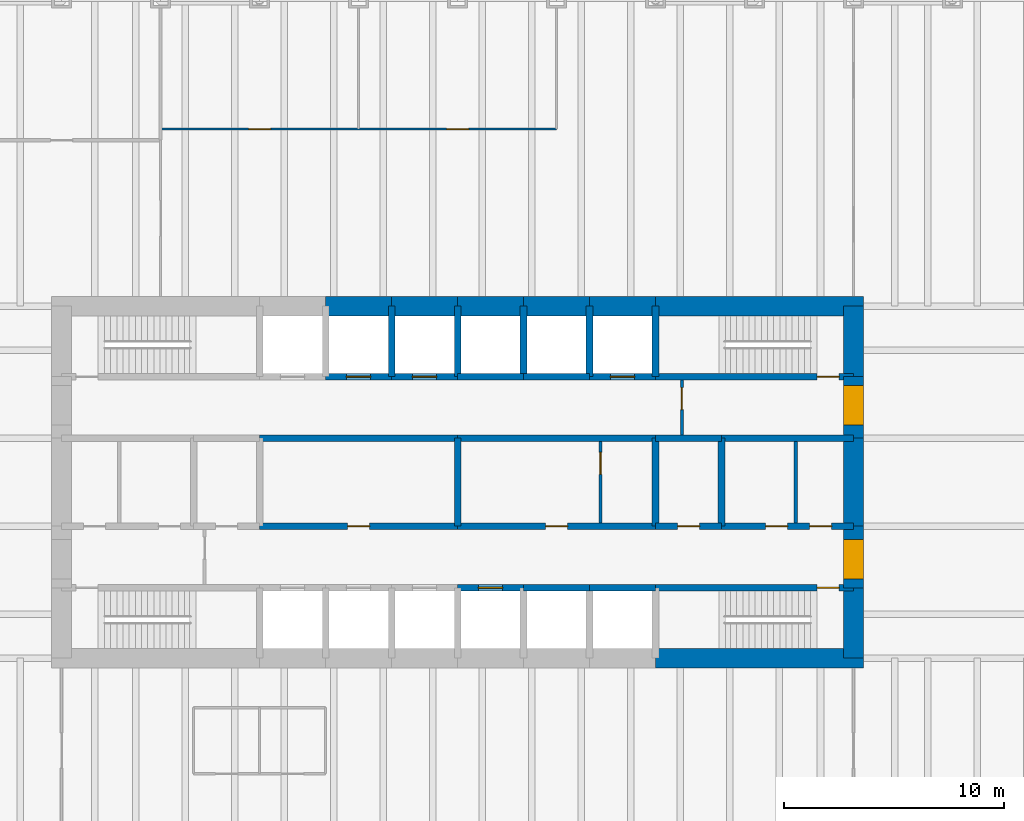
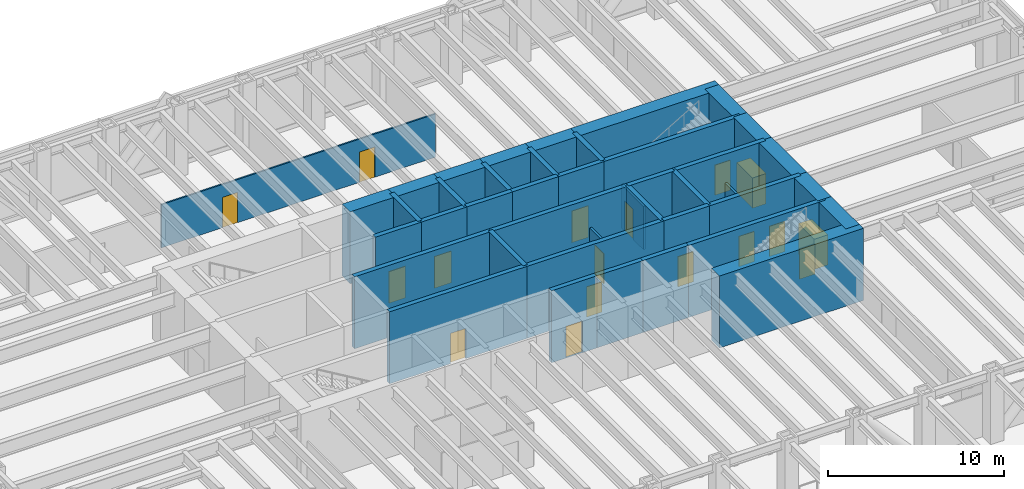
# One storey, part 14 of 17: 42 walls, 17 doors, 17 openings.
"""IFC4 building model written with IfcOpenShell, lengths in metres."""

from ifc_helpers import new_model, si_unit, direction, frame, frame_2d, origin, place, context, subcontext, project, spatial, rectangle, extrude, material, layer, layer_set, type_object, element, fill, save


model = new_model("IFC4")

# Units and contexts
model_context = context("Model", 3, precision=1e-05, world=origin(), true_north=direction((0.0, 1.0)))
body_context = subcontext(model_context, "Body", "Model", "MODEL_VIEW")
ifc_project = project(units=[si_unit("LENGTHUNIT", "METRE"), si_unit("AREAUNIT", "SQUARE_METRE"), si_unit("VOLUMEUNIT", "CUBIC_METRE"), si_unit("PLANEANGLEUNIT", "RADIAN"), si_unit("MASSUNIT", "GRAM", prefix="KILO")], contexts=[model_context])

# Site, building, storey
site_placement = place(None, origin())
site = spatial("IfcSite", under=ifc_project, at=site_placement, CompositionType="ELEMENT")
building_placement = place(site_placement, origin())
building = spatial("IfcBuilding", under=site, at=building_placement, Name="Rheinbord Bourse Tower", CompositionType="ELEMENT")
storey_placement = place(building_placement, frame((0.0, 0.0, 18.0)))
storey = spatial("IfcBuildingStorey", under=building, at=storey_placement, Name="L03", CompositionType="ELEMENT", Elevation=18.0)

# Wall, opening, door
ifc_material_1 = material(Name="Concrete C50/60", Category="concrete")
ifc_layer_1 = layer(ifc_material_1, 0.300048828125)
ifc_layer_set_1 = layer_set([ifc_layer_1], Name="CORE INNER WALL 300")
wall_type_1 = type_object("IfcWallType", Name="CORE INNER WALL 300", PredefinedType="SOLIDWALL", material=ifc_layer_set_1)
wall_1_placement = place(storey_placement, frame((36.0, 19.199951171875, 0.0), z_axis=(0.0, 0.0, 1.0), x_axis=(1.0, 0.0, 0.0)))
wall_1 = element("IfcWall", 1, at=wall_1_placement, inside=storey, type_object=wall_type_1, Name="Core wall A5 L03", PredefinedType="SOLIDWALL", context=body_context, shape_type="SweptSolid", body=[
    extrude(rectangle(XDim=3.0, YDim=0.300048828125, at=frame_2d((1.5, 0.0))), origin(), (0.0, 0.0, 1.0), 5.0),
])
opening_1_placement = place(wall_1_placement, frame((0.949951171875, 0.0, 0.0)))
opening_1 = element("IfcOpeningElement", 2, at=opening_1_placement, cuts=wall_1, Name="Opening PA3", PredefinedType="OPENING", context=body_context, shape_type="SweptSolid", body=[
    extrude(rectangle(XDim=1.10009765625, YDim=2.199951171875, at=frame_2d((0.550048828125, 1.10009765625))), frame((0.0, 0.159912109375, 0.0), z_axis=(0.0, -1.0, 0.0), x_axis=(1.0, 0.0, 0.0)), (0.0, 0.0, 1.0), 0.320068359375),
])
ifc_material_2 = material(Name="Steel landing door", Category="steel")
door_type_1 = type_object("IfcDoorType", Name="LIFT LANDING DOOR 1100", OperationType="DOUBLE_DOOR_SLIDING", PredefinedType="USERDEFINED", material=ifc_material_2)
door_1_placement = place(opening_1_placement, origin())
door_1 = element("IfcDoor", 3, at=door_1_placement, inside=storey, type_object=door_type_1, Name="Lift landing door PA3 L03", ObjectType="LIFT LANDING DOOR", OperationType="DOUBLE_DOOR_SLIDING", OverallHeight=2.199951171875, OverallWidth=1.10009765625, PredefinedType="USERDEFINED", context=body_context, shape_type="SweptSolid", body=[
    extrude(rectangle(XDim=1.10009765625, YDim=2.199951171875, at=frame_2d((0.550048828125, 1.10009765625))), frame((0.0, 0.02490234375, 0.0), z_axis=(0.0, -1.0, 0.0), x_axis=(1.0, 0.0, 0.0)), (0.0, 0.0, 1.0), 0.050048828125),
])
fill(opening_1, door_1)

# Walls
for number, where, z_axis, x_axis, name in (
    (4, (39.0, 19.199951171875, 0.0), (0.0, 0.0, 1.0), (1.0, 0.0, 0.0), "Core wall A6 L03"),
    (5, (42.0, 19.199951171875, 0.0), (0.0, 0.0, 1.0), (1.0, 0.0, 0.0), "Core wall A7 L03"),
):
    element("IfcWall", number, at=place(storey_placement, frame(where, z_axis=z_axis, x_axis=x_axis)), inside=storey, type_object=wall_type_1, Name=name, PredefinedType="SOLIDWALL", context=body_context, shape_type="SweptSolid", body=[
        extrude(rectangle(XDim=3.0, YDim=0.300048828125, at=frame_2d((1.5, 0.0))), origin(), (0.0, 0.0, 1.0), 5.0),
    ])

# Wall, opening, door
wall_2_placement = place(storey_placement, frame((45.0, 19.199951171875, 0.0), z_axis=(0.0, 0.0, 1.0), x_axis=(1.0, 0.0, 0.0)))
wall_2 = element("IfcWall", 6, at=wall_2_placement, inside=storey, type_object=wall_type_1, Name="Core wall A8 L03", PredefinedType="SOLIDWALL", context=body_context, shape_type="SweptSolid", body=[
    extrude(rectangle(XDim=9.0, YDim=0.300048828125, at=frame_2d((4.5, 0.0))), origin(), (0.0, 0.0, 1.0), 5.0),
])
opening_2_placement = place(wall_2_placement, frame((7.35009765625, 0.0, 0.0)))
opening_2 = element("IfcOpeningElement", 7, at=opening_2_placement, cuts=wall_2, Name="Opening 0330", PredefinedType="OPENING", context=body_context, shape_type="SweptSolid", body=[
    extrude(rectangle(XDim=1.0, YDim=2.10009765625, at=frame_2d((0.5, 1.050048828125))), frame((0.0, 0.159912109375, 0.0), z_axis=(0.0, -1.0, 0.0), x_axis=(1.0, 0.0, 0.0)), (0.0, 0.0, 1.0), 0.320068359375),
])
ifc_material_3 = material(Name="Steel door", Category="steel")
door_type_2 = type_object("IfcDoorType", Name="DOOR 1000 EI30", OperationType="SINGLE_SWING_LEFT", PredefinedType="DOOR", material=ifc_material_3)
door_2_placement = place(opening_2_placement, origin())
door_2 = element("IfcDoor", 8, at=door_2_placement, inside=storey, type_object=door_type_2, Name="Stair door ST3 L03", OperationType="SINGLE_SWING_RIGHT", OverallHeight=2.10009765625, OverallWidth=1.0, PredefinedType="DOOR", context=body_context, shape_type="SweptSolid", body=[
    extrude(rectangle(XDim=1.0, YDim=2.10009765625, at=frame_2d((0.5, 1.050048828125))), frame((0.0, 0.02490234375, 0.0), z_axis=(0.0, -1.0, 0.0), x_axis=(1.0, 0.0, 0.0)), (0.0, 0.0, 1.0), 0.050048828125),
])
fill(opening_2, door_2)

wall_3_placement = place(storey_placement, frame((30.0, 28.800048828125, 0.0), z_axis=(0.0, 0.0, 1.0), x_axis=(1.0, 0.0, 0.0)))
wall_3 = element("IfcWall", 9, at=wall_3_placement, inside=storey, type_object=wall_type_1, Name="Core wall B3 L03", PredefinedType="SOLIDWALL", context=body_context, shape_type="SweptSolid", body=[
    extrude(rectangle(XDim=3.0, YDim=0.300048828125, at=frame_2d((1.5, 0.0))), origin(), (0.0, 0.0, 1.0), 5.0),
])
opening_3_placement = place(wall_3_placement, frame((0.949951171875, 0.0, 0.0)))
opening_3 = element("IfcOpeningElement", 10, at=opening_3_placement, cuts=wall_3, Name="Opening PA4", PredefinedType="OPENING", context=body_context, shape_type="SweptSolid", body=[
    extrude(rectangle(XDim=1.10009765625, YDim=2.199951171875, at=frame_2d((0.550048828125, 1.10009765625))), frame((0.0, 0.159912109375, 0.0), z_axis=(0.0, -1.0, 0.0), x_axis=(1.0, 0.0, 0.0)), (0.0, 0.0, 1.0), 0.320068359375),
])
door_3_placement = place(opening_3_placement, origin())
door_3 = element("IfcDoor", 11, at=door_3_placement, inside=storey, type_object=door_type_1, Name="Lift landing door PA4 L03", ObjectType="LIFT LANDING DOOR", OperationType="DOUBLE_DOOR_SLIDING", OverallHeight=2.199951171875, OverallWidth=1.10009765625, PredefinedType="USERDEFINED", context=body_context, shape_type="SweptSolid", body=[
    extrude(rectangle(XDim=1.10009765625, YDim=2.199951171875, at=frame_2d((0.550048828125, 1.10009765625))), frame((0.0, 0.02490234375, 0.0), z_axis=(0.0, -1.0, 0.0), x_axis=(1.0, 0.0, 0.0)), (0.0, 0.0, 1.0), 0.050048828125),
])
fill(opening_3, door_3)

wall_4_placement = place(storey_placement, frame((33.0, 28.800048828125, 0.0), z_axis=(0.0, 0.0, 1.0), x_axis=(1.0, 0.0, 0.0)))
wall_4 = element("IfcWall", 12, at=wall_4_placement, inside=storey, type_object=wall_type_1, Name="Core wall B4 L03", PredefinedType="SOLIDWALL", context=body_context, shape_type="SweptSolid", body=[
    extrude(rectangle(XDim=3.0, YDim=0.300048828125, at=frame_2d((1.5, 0.0))), origin(), (0.0, 0.0, 1.0), 5.0),
])
opening_4_placement = place(wall_4_placement, frame((0.949951171875, 0.0, 0.0)))
opening_4 = element("IfcOpeningElement", 13, at=opening_4_placement, cuts=wall_4, Name="Opening PA5", PredefinedType="OPENING", context=body_context, shape_type="SweptSolid", body=[
    extrude(rectangle(XDim=1.10009765625, YDim=2.199951171875, at=frame_2d((0.550048828125, 1.10009765625))), frame((0.0, 0.159912109375, 0.0), z_axis=(0.0, -1.0, 0.0), x_axis=(1.0, 0.0, 0.0)), (0.0, 0.0, 1.0), 0.320068359375),
])
door_4_placement = place(opening_4_placement, origin())
door_4 = element("IfcDoor", 14, at=door_4_placement, inside=storey, type_object=door_type_1, Name="Lift landing door PA5 L03", ObjectType="LIFT LANDING DOOR", OperationType="DOUBLE_DOOR_SLIDING", OverallHeight=2.199951171875, OverallWidth=1.10009765625, PredefinedType="USERDEFINED", context=body_context, shape_type="SweptSolid", body=[
    extrude(rectangle(XDim=1.10009765625, YDim=2.199951171875, at=frame_2d((0.550048828125, 1.10009765625))), frame((0.0, 0.02490234375, 0.0), z_axis=(0.0, -1.0, 0.0), x_axis=(1.0, 0.0, 0.0)), (0.0, 0.0, 1.0), 0.050048828125),
])
fill(opening_4, door_4)

# Walls
for number, where, z_axis, x_axis, name in (
    (15, (36.0, 28.800048828125, 0.0), (0.0, 0.0, 1.0), (1.0, 0.0, 0.0), "Core wall B5 L03"),
    (16, (39.0, 28.800048828125, 0.0), (0.0, 0.0, 1.0), (1.0, 0.0, 0.0), "Core wall B6 L03"),
):
    element("IfcWall", number, at=place(storey_placement, frame(where, z_axis=z_axis, x_axis=x_axis)), inside=storey, type_object=wall_type_1, Name=name, PredefinedType="SOLIDWALL", context=body_context, shape_type="SweptSolid", body=[
        extrude(rectangle(XDim=3.0, YDim=0.300048828125, at=frame_2d((1.5, 0.0))), origin(), (0.0, 0.0, 1.0), 5.0),
    ])

# Wall, opening, door
wall_5_placement = place(storey_placement, frame((42.0, 28.800048828125, 0.0), z_axis=(0.0, 0.0, 1.0), x_axis=(1.0, 0.0, 0.0)))
wall_5 = element("IfcWall", 17, at=wall_5_placement, inside=storey, type_object=wall_type_1, Name="Core wall B7 L03", PredefinedType="SOLIDWALL", context=body_context, shape_type="SweptSolid", body=[
    extrude(rectangle(XDim=3.0, YDim=0.300048828125, at=frame_2d((1.5, 0.0))), origin(), (0.0, 0.0, 1.0), 5.0),
])
opening_5_placement = place(wall_5_placement, frame((0.949951171875, 0.0, 0.0)))
opening_5 = element("IfcOpeningElement", 18, at=opening_5_placement, cuts=wall_5, Name="Opening FL2", PredefinedType="OPENING", context=body_context, shape_type="SweptSolid", body=[
    extrude(rectangle(XDim=1.10009765625, YDim=2.199951171875, at=frame_2d((0.550048828125, 1.10009765625))), frame((0.0, 0.159912109375, 0.0), z_axis=(0.0, -1.0, 0.0), x_axis=(1.0, 0.0, 0.0)), (0.0, 0.0, 1.0), 0.320068359375),
])
door_5_placement = place(opening_5_placement, origin())
door_5 = element("IfcDoor", 19, at=door_5_placement, inside=storey, type_object=door_type_1, Name="Lift landing door FL2 L03", ObjectType="LIFT LANDING DOOR", OperationType="DOUBLE_DOOR_SLIDING", OverallHeight=2.199951171875, OverallWidth=1.10009765625, PredefinedType="USERDEFINED", context=body_context, shape_type="SweptSolid", body=[
    extrude(rectangle(XDim=1.10009765625, YDim=2.199951171875, at=frame_2d((0.550048828125, 1.10009765625))), frame((0.0, 0.02490234375, 0.0), z_axis=(0.0, -1.0, 0.0), x_axis=(1.0, 0.0, 0.0)), (0.0, 0.0, 1.0), 0.050048828125),
])
fill(opening_5, door_5)

wall_6_placement = place(storey_placement, frame((45.0, 28.800048828125, 0.0), z_axis=(0.0, 0.0, 1.0), x_axis=(1.0, 0.0, 0.0)))
wall_6 = element("IfcWall", 20, at=wall_6_placement, inside=storey, type_object=wall_type_1, Name="Core wall B8 L03", PredefinedType="SOLIDWALL", context=body_context, shape_type="SweptSolid", body=[
    extrude(rectangle(XDim=9.0, YDim=0.300048828125, at=frame_2d((4.5, 0.0))), origin(), (0.0, 0.0, 1.0), 5.0),
])
opening_6_placement = place(wall_6_placement, frame((7.35009765625, 0.0, 0.0)))
opening_6 = element("IfcOpeningElement", 21, at=opening_6_placement, cuts=wall_6, Name="Opening 0340", PredefinedType="OPENING", context=body_context, shape_type="SweptSolid", body=[
    extrude(rectangle(XDim=1.0, YDim=2.10009765625, at=frame_2d((0.5, 1.050048828125))), frame((0.0, 0.159912109375, 0.0), z_axis=(0.0, -1.0, 0.0), x_axis=(1.0, 0.0, 0.0)), (0.0, 0.0, 1.0), 0.320068359375),
])
door_6_placement = place(opening_6_placement, origin())
door_6 = element("IfcDoor", 22, at=door_6_placement, inside=storey, type_object=door_type_2, Name="Stair door ST4 L03", OperationType="SINGLE_SWING_RIGHT", OverallHeight=2.10009765625, OverallWidth=1.0, PredefinedType="DOOR", context=body_context, shape_type="SweptSolid", body=[
    extrude(rectangle(XDim=1.0, YDim=2.10009765625, at=frame_2d((0.5, 1.050048828125))), frame((0.0, 0.02490234375, 0.0), z_axis=(0.0, -1.0, 0.0), x_axis=(1.0, 0.0, 0.0)), (0.0, 0.0, 1.0), 0.050048828125),
])
fill(opening_6, door_6)

wall_7_placement = place(storey_placement, frame((27.0, 22.0, 0.0), z_axis=(0.0, 0.0, 1.0), x_axis=(1.0, 0.0, 0.0)))
wall_7 = element("IfcWall", 23, at=wall_7_placement, inside=storey, type_object=wall_type_1, Name="Core wall C3 L03", PredefinedType="SOLIDWALL", context=body_context, shape_type="SweptSolid", body=[
    extrude(rectangle(XDim=9.0, YDim=0.300048828125, at=frame_2d((4.5, 0.0))), origin(), (0.0, 0.0, 1.0), 5.0),
])
opening_7_placement = place(wall_7_placement, frame((4.0, 0.0, 0.0)))
opening_7 = element("IfcOpeningElement", 24, at=opening_7_placement, cuts=wall_7, Name="Opening 03R3", PredefinedType="OPENING", context=body_context, shape_type="SweptSolid", body=[
    extrude(rectangle(XDim=1.0, YDim=2.10009765625, at=frame_2d((0.5, 1.050048828125))), frame((0.0, 0.159912109375, 0.0), z_axis=(0.0, -1.0, 0.0), x_axis=(1.0, 0.0, 0.0)), (0.0, 0.0, 1.0), 0.320068359375),
])
door_7_placement = place(opening_7_placement, origin())
door_7 = element("IfcDoor", 25, at=door_7_placement, inside=storey, type_object=door_type_2, Name="Riser door L03", OperationType="SINGLE_SWING_LEFT", OverallHeight=2.10009765625, OverallWidth=1.0, PredefinedType="DOOR", context=body_context, shape_type="SweptSolid", body=[
    extrude(rectangle(XDim=1.0, YDim=2.10009765625, at=frame_2d((0.5, 1.050048828125))), frame((0.0, 0.02490234375, 0.0), z_axis=(0.0, -1.0, 0.0), x_axis=(1.0, 0.0, 0.0)), (0.0, 0.0, 1.0), 0.050048828125),
])
fill(opening_7, door_7)

wall_8_placement = place(storey_placement, frame((36.0, 22.0, 0.0), z_axis=(0.0, 0.0, 1.0), x_axis=(1.0, 0.0, 0.0)))
wall_8 = element("IfcWall", 26, at=wall_8_placement, inside=storey, type_object=wall_type_1, Name="Core wall C4 L03", PredefinedType="SOLIDWALL", context=body_context, shape_type="SweptSolid", body=[
    extrude(rectangle(XDim=9.0, YDim=0.300048828125, at=frame_2d((4.5, 0.0))), origin(), (0.0, 0.0, 1.0), 5.0),
])
opening_8_placement = place(wall_8_placement, frame((4.0, 0.0, 0.0)))
opening_8 = element("IfcOpeningElement", 27, at=opening_8_placement, cuts=wall_8, Name="Opening 03R4", PredefinedType="OPENING", context=body_context, shape_type="SweptSolid", body=[
    extrude(rectangle(XDim=1.0, YDim=2.10009765625, at=frame_2d((0.5, 1.050048828125))), frame((0.0, 0.159912109375, 0.0), z_axis=(0.0, -1.0, 0.0), x_axis=(1.0, 0.0, 0.0)), (0.0, 0.0, 1.0), 0.320068359375),
])
door_8_placement = place(opening_8_placement, origin())
door_8 = element("IfcDoor", 28, at=door_8_placement, inside=storey, type_object=door_type_2, Name="Print room door L03", OperationType="SINGLE_SWING_LEFT", OverallHeight=2.10009765625, OverallWidth=1.0, PredefinedType="DOOR", context=body_context, shape_type="SweptSolid", body=[
    extrude(rectangle(XDim=1.0, YDim=2.10009765625, at=frame_2d((0.5, 1.050048828125))), frame((0.0, 0.02490234375, 0.0), z_axis=(0.0, -1.0, 0.0), x_axis=(1.0, 0.0, 0.0)), (0.0, 0.0, 1.0), 0.050048828125),
])
fill(opening_8, door_8)

wall_9_placement = place(storey_placement, frame((45.0, 22.0, 0.0), z_axis=(0.0, 0.0, 1.0), x_axis=(1.0, 0.0, 0.0)))
wall_9 = element("IfcWall", 29, at=wall_9_placement, inside=storey, type_object=wall_type_1, Name="Core wall C5 L03", PredefinedType="SOLIDWALL", context=body_context, shape_type="SweptSolid", body=[
    extrude(rectangle(XDim=3.0, YDim=0.300048828125, at=frame_2d((1.5, 0.0))), origin(), (0.0, 0.0, 1.0), 5.0),
])
opening_9_placement = place(wall_9_placement, frame((1.0, 0.0, 0.0)))
opening_9 = element("IfcOpeningElement", 30, at=opening_9_placement, cuts=wall_9, Name="Opening 03R5", PredefinedType="OPENING", context=body_context, shape_type="SweptSolid", body=[
    extrude(rectangle(XDim=1.0, YDim=2.10009765625, at=frame_2d((0.5, 1.050048828125))), frame((0.0, 0.159912109375, 0.0), z_axis=(0.0, -1.0, 0.0), x_axis=(1.0, 0.0, 0.0)), (0.0, 0.0, 1.0), 0.320068359375),
])
ifc_material_4 = material(Name="Timber door", Category="wood")
door_type_3 = type_object("IfcDoorType", Name="DOOR 1000 WC", OperationType="SINGLE_SWING_LEFT", PredefinedType="DOOR", material=ifc_material_4)
door_9_placement = place(opening_9_placement, origin())
door_9 = element("IfcDoor", 31, at=door_9_placement, inside=storey, type_object=door_type_3, Name="Accessible WC door L03", OperationType="SINGLE_SWING_LEFT", OverallHeight=2.10009765625, OverallWidth=1.0, PredefinedType="DOOR", context=body_context, shape_type="SweptSolid", body=[
    extrude(rectangle(XDim=1.0, YDim=2.10009765625, at=frame_2d((0.5, 1.050048828125))), frame((0.0, 0.02490234375, 0.0), z_axis=(0.0, -1.0, 0.0), x_axis=(1.0, 0.0, 0.0)), (0.0, 0.0, 1.0), 0.050048828125),
])
fill(opening_9, door_9)

# Wall, openings, doors
wall_10_placement = place(storey_placement, frame((48.0, 22.0, 0.0), z_axis=(0.0, 0.0, 1.0), x_axis=(1.0, 0.0, 0.0)))
wall_10 = element("IfcWall", 32, at=wall_10_placement, inside=storey, type_object=wall_type_1, Name="Core wall C6 L03", PredefinedType="SOLIDWALL", context=body_context, shape_type="SweptSolid", body=[
    extrude(rectangle(XDim=6.0, YDim=0.300048828125, at=frame_2d((3.0, 0.0))), origin(), (0.0, 0.0, 1.0), 5.0),
])
opening_10_placement = place(wall_10_placement, frame((2.0, 0.0, 0.0)))
opening_10 = element("IfcOpeningElement", 33, at=opening_10_placement, cuts=wall_10, Name="Opening 03R6", PredefinedType="OPENING", context=body_context, shape_type="SweptSolid", body=[
    extrude(rectangle(XDim=1.0, YDim=2.10009765625, at=frame_2d((0.5, 1.050048828125))), frame((0.0, 0.159912109375, 0.0), z_axis=(0.0, -1.0, 0.0), x_axis=(1.0, 0.0, 0.0)), (0.0, 0.0, 1.0), 0.320068359375),
])
opening_11_placement = place(wall_10_placement, frame((4.0, 0.0, 0.0)))
opening_11 = element("IfcOpeningElement", 34, at=opening_11_placement, cuts=wall_10, Name="Opening 03R10", PredefinedType="OPENING", context=body_context, shape_type="SweptSolid", body=[
    extrude(rectangle(XDim=1.0, YDim=2.10009765625, at=frame_2d((0.5, 1.050048828125))), frame((0.0, 0.159912109375, 0.0), z_axis=(0.0, -1.0, 0.0), x_axis=(1.0, 0.0, 0.0)), (0.0, 0.0, 1.0), 0.320068359375),
])
door_10_placement = place(opening_11_placement, origin())
door_10 = element("IfcDoor", 35, at=door_10_placement, inside=storey, type_object=door_type_2, Name="Cleaner's store door L03", OperationType="SINGLE_SWING_RIGHT", OverallHeight=2.10009765625, OverallWidth=1.0, PredefinedType="DOOR", context=body_context, shape_type="SweptSolid", body=[
    extrude(rectangle(XDim=1.0, YDim=2.10009765625, at=frame_2d((0.5, 1.050048828125))), frame((0.0, 0.02490234375, 0.0), z_axis=(0.0, -1.0, 0.0), x_axis=(1.0, 0.0, 0.0)), (0.0, 0.0, 1.0), 0.050048828125),
])
fill(opening_11, door_10)
door_11_placement = place(opening_10_placement, origin())
door_11 = element("IfcDoor", 36, at=door_11_placement, inside=storey, type_object=door_type_3, Name="WC women door L03", OperationType="SINGLE_SWING_LEFT", OverallHeight=2.10009765625, OverallWidth=1.0, PredefinedType="DOOR", context=body_context, shape_type="SweptSolid", body=[
    extrude(rectangle(XDim=1.0, YDim=2.10009765625, at=frame_2d((0.5, 1.050048828125))), frame((0.0, 0.02490234375, 0.0), z_axis=(0.0, -1.0, 0.0), x_axis=(1.0, 0.0, 0.0)), (0.0, 0.0, 1.0), 0.050048828125),
])
fill(opening_10, door_11)

# Walls
for number, where, z_axis, x_axis, name in (
    (37, (27.0, 26.0, 0.0), (0.0, 0.0, 1.0), (1.0, 0.0, 0.0), "Core wall D3 L03"),
    (38, (36.0, 26.0, 0.0), (0.0, 0.0, 1.0), (1.0, 0.0, 0.0), "Core wall D4 L03"),
):
    element("IfcWall", number, at=place(storey_placement, frame(where, z_axis=z_axis, x_axis=x_axis)), inside=storey, type_object=wall_type_1, Name=name, PredefinedType="SOLIDWALL", context=body_context, shape_type="SweptSolid", body=[
        extrude(rectangle(XDim=9.0, YDim=0.300048828125, at=frame_2d((4.5, 0.0))), origin(), (0.0, 0.0, 1.0), 5.0),
    ])
wall_11_placement = place(storey_placement, frame((45.0, 26.0, 0.0), z_axis=(0.0, 0.0, 1.0), x_axis=(1.0, 0.0, 0.0)))
element("IfcWall", 39, at=wall_11_placement, inside=storey, type_object=wall_type_1, Name="Core wall D5 L03", PredefinedType="SOLIDWALL", context=body_context, shape_type="SweptSolid", body=[
    extrude(rectangle(XDim=3.0, YDim=0.300048828125, at=frame_2d((1.5, 0.0))), origin(), (0.0, 0.0, 1.0), 5.0),
])
wall_12_placement = place(storey_placement, frame((48.0, 26.0, 0.0), z_axis=(0.0, 0.0, 1.0), x_axis=(1.0, 0.0, 0.0)))
element("IfcWall", 40, at=wall_12_placement, inside=storey, type_object=wall_type_1, Name="Core wall D6 L03", PredefinedType="SOLIDWALL", context=body_context, shape_type="SweptSolid", body=[
    extrude(rectangle(XDim=6.0, YDim=0.300048828125, at=frame_2d((3.0, 0.0))), origin(), (0.0, 0.0, 1.0), 5.0),
])
for number, where, z_axis, x_axis, name in (
    (41, (33.0, 28.800048828125, 0.0), (0.0, 0.0, 1.0), (0.0, 1.0, 0.0), "Core wall NX33 L03"),
    (42, (36.0, 28.800048828125, 0.0), (0.0, 0.0, 1.0), (0.0, 1.0, 0.0), "Core wall NX36 L03"),
    (43, (39.0, 28.800048828125, 0.0), (0.0, 0.0, 1.0), (0.0, 1.0, 0.0), "Core wall NX39 L03"),
    (44, (42.0, 28.800048828125, 0.0), (0.0, 0.0, 1.0), (0.0, 1.0, 0.0), "Core wall NX42 L03"),
    (45, (45.0, 28.800048828125, 0.0), (0.0, 0.0, 1.0), (0.0, 1.0, 0.0), "Core wall NX45 L03"),
):
    element("IfcWall", number, at=place(storey_placement, frame(where, z_axis=z_axis, x_axis=x_axis)), inside=storey, type_object=wall_type_1, Name=name, PredefinedType="SOLIDWALL", context=body_context, shape_type="SweptSolid", body=[
        extrude(rectangle(XDim=3.199951171875, YDim=0.300048828125, at=frame_2d((1.60009765625, 0.0))), origin(), (0.0, 0.0, 1.0), 5.0),
    ])
for number, where, z_axis, x_axis, name in (
    (46, (36.0, 22.0, 0.0), (0.0, 0.0, 1.0), (0.0, 1.0, 0.0), "Core wall MX36 L03"),
    (47, (45.0, 22.0, 0.0), (0.0, 0.0, 1.0), (0.0, 1.0, 0.0), "Core wall MX45 L03"),
    (48, (48.0, 22.0, 0.0), (0.0, 0.0, 1.0), (0.0, 1.0, 0.0), "Core wall MX48 L03"),
):
    element("IfcWall", number, at=place(storey_placement, frame(where, z_axis=z_axis, x_axis=x_axis)), inside=storey, type_object=wall_type_1, Name=name, PredefinedType="SOLIDWALL", context=body_context, shape_type="SweptSolid", body=[
        extrude(rectangle(XDim=4.0, YDim=0.300048828125, at=frame_2d((2.0, 0.0))), origin(), (0.0, 0.0, 1.0), 5.0),
    ])

# Wall, opening, door
ifc_material_5 = material(Name="Gypsum board fire partition", Category="gypsum board")
ifc_layer_2 = layer(ifc_material_5, 0.14990234375)
ifc_layer_set_2 = layer_set([ifc_layer_2], Name="CORE PARTITION 150 EI30")
wall_type_2 = type_object("IfcWallType", Name="CORE PARTITION 150 EI30", PredefinedType="PARTITIONING", material=ifc_layer_set_2)
wall_13_placement = place(storey_placement, frame((42.5, 22.14990234375, 0.0), z_axis=(0.0, 0.0, 1.0), x_axis=(0.0, 1.0, 0.0)))
wall_13 = element("IfcWall", 49, at=wall_13_placement, inside=storey, type_object=wall_type_2, Name="Core partition L03-1", PredefinedType="PARTITIONING", context=body_context, shape_type="SweptSolid", body=[
    extrude(rectangle(XDim=3.7001953125, YDim=0.14990234375, at=frame_2d((1.85009765625, 0.0))), origin(), (0.0, 0.0, 1.0), 3.0),
])
opening_12_placement = place(wall_13_placement, frame((2.199951171875, 0.0, 0.0)))
opening_12 = element("IfcOpeningElement", 50, at=opening_12_placement, cuts=wall_13, Name="Opening 03R7", PredefinedType="OPENING", context=body_context, shape_type="SweptSolid", body=[
    extrude(rectangle(XDim=1.0, YDim=2.10009765625, at=frame_2d((0.5, 1.050048828125))), frame((0.0, 0.0849609375, 0.0), z_axis=(0.0, -1.0, 0.0), x_axis=(1.0, 0.0, 0.0)), (0.0, 0.0, 1.0), 0.169921875),
])
door_12_placement = place(opening_12_placement, origin())
door_12 = element("IfcDoor", 51, at=door_12_placement, inside=storey, type_object=door_type_2, Name="Paper store door L03", OperationType="SINGLE_SWING_RIGHT", OverallHeight=2.10009765625, OverallWidth=1.0, PredefinedType="DOOR", context=body_context, shape_type="SweptSolid", body=[
    extrude(rectangle(XDim=1.0, YDim=2.10009765625, at=frame_2d((0.5, 1.050048828125))), frame((0.0, 0.02490234375, 0.0), z_axis=(0.0, -1.0, 0.0), x_axis=(1.0, 0.0, 0.0)), (0.0, 0.0, 1.0), 0.050048828125),
])
fill(opening_12, door_12)

# Wall
wall_14_placement = place(storey_placement, frame((51.375, 22.14990234375, 0.0), z_axis=(0.0, 0.0, 1.0), x_axis=(0.0, 1.0, 0.0)))
element("IfcWall", 52, at=wall_14_placement, inside=storey, type_object=wall_type_2, Name="Core partition L03-3", PredefinedType="PARTITIONING", context=body_context, shape_type="SweptSolid", body=[
    extrude(rectangle(XDim=3.7001953125, YDim=0.14990234375, at=frame_2d((1.85009765625, 0.0))), origin(), (0.0, 0.0, 1.0), 3.0),
])

# Wall, opening, door
wall_15_placement = place(storey_placement, frame((46.199951171875, 26.14990234375, 0.0), z_axis=(0.0, 0.0, 1.0), x_axis=(0.0, 1.0, 0.0)))
wall_15 = element("IfcWall", 53, at=wall_15_placement, inside=storey, type_object=wall_type_2, Name="Core partition L03-5", PredefinedType="PARTITIONING", context=body_context, shape_type="SweptSolid", body=[
    extrude(rectangle(XDim=2.5, YDim=0.14990234375, at=frame_2d((1.25, 0.0))), origin(), (0.0, 0.0, 1.0), 3.0),
])
opening_13_placement = place(wall_15_placement, frame((1.14990234375, 0.0, 0.0)))
opening_13 = element("IfcOpeningElement", 54, at=opening_13_placement, cuts=wall_15, Name="Opening 03L6", PredefinedType="OPENING", context=body_context, shape_type="SweptSolid", body=[
    extrude(rectangle(XDim=1.0, YDim=2.10009765625, at=frame_2d((0.5, 1.050048828125))), frame((0.0, 0.0849609375, 0.0), z_axis=(0.0, -1.0, 0.0), x_axis=(1.0, 0.0, 0.0)), (0.0, 0.0, 1.0), 0.169921875),
])
door_13_placement = place(opening_13_placement, origin())
door_13 = element("IfcDoor", 55, at=door_13_placement, inside=storey, type_object=door_type_2, Name="Stair lobby door L03", OperationType="SINGLE_SWING_RIGHT", OverallHeight=2.10009765625, OverallWidth=1.0, PredefinedType="DOOR", context=body_context, shape_type="SweptSolid", body=[
    extrude(rectangle(XDim=1.0, YDim=2.10009765625, at=frame_2d((0.5, 1.050048828125))), frame((0.0, 0.02490234375, 0.0), z_axis=(0.0, -1.0, 0.0), x_axis=(1.0, 0.0, 0.0)), (0.0, 0.0, 1.0), 0.050048828125),
])
fill(opening_13, door_13)

# Walls
ifc_material_6 = material(Name="Concrete C50/60", Category="concrete")
ifc_layer_3 = layer(ifc_material_6, 0.89990234375)
ifc_layer_set_3 = layer_set([ifc_layer_3], Name="CORE WALL 900")
wall_type_3 = type_object("IfcWallType", Name="CORE WALL 900", PredefinedType="SHEAR", material=ifc_layer_set_3)
for number, where, z_axis, x_axis, name in (
    (56, (45.0, 16.0, 0.0), (0.0, 0.0, 1.0), (1.0, 0.0, 0.0), "Core wall S8 L03"),
    (57, (54.449951171875, 32.0, 0.0), (0.0, 0.0, 1.0), (-1.0, 0.0, 0.0), "Core wall N1 L03"),
):
    element("IfcWall", number, at=place(storey_placement, frame(where, z_axis=z_axis, x_axis=x_axis)), inside=storey, type_object=wall_type_3, Name=name, PredefinedType="SHEAR", context=body_context, shape_type="SweptSolid", body=[
        extrude(rectangle(XDim=9.449951171875, YDim=0.89990234375, at=frame_2d((4.72509765625, 0.0))), origin(), (0.0, 0.0, 1.0), 5.0),
    ])
for number, where, z_axis, x_axis, name in (
    (58, (45.0, 32.0, 0.0), (0.0, 0.0, 1.0), (-1.0, 0.0, 0.0), "Core wall N2 L03"),
    (59, (42.0, 32.0, 0.0), (0.0, 0.0, 1.0), (-1.0, 0.0, 0.0), "Core wall N3 L03"),
    (60, (39.0, 32.0, 0.0), (0.0, 0.0, 1.0), (-1.0, 0.0, 0.0), "Core wall N4 L03"),
    (61, (36.0, 32.0, 0.0), (0.0, 0.0, 1.0), (-1.0, 0.0, 0.0), "Core wall N5 L03"),
    (62, (33.0, 32.0, 0.0), (0.0, 0.0, 1.0), (-1.0, 0.0, 0.0), "Core wall N6 L03"),
):
    element("IfcWall", number, at=place(storey_placement, frame(where, z_axis=z_axis, x_axis=x_axis)), inside=storey, type_object=wall_type_3, Name=name, PredefinedType="SHEAR", context=body_context, shape_type="SweptSolid", body=[
        extrude(rectangle(XDim=3.0, YDim=0.89990234375, at=frame_2d((1.5, 0.0))), origin(), (0.0, 0.0, 1.0), 5.0),
    ])
wall_16_placement = place(storey_placement, frame((54.0, 16.0, 0.0), z_axis=(0.0, 0.0, 1.0), x_axis=(0.0, 1.0, 0.0)))
element("IfcWall", 63, at=wall_16_placement, inside=storey, type_object=wall_type_3, Name="Core wall E1 L03", PredefinedType="SHEAR", context=body_context, shape_type="SweptSolid", body=[
    extrude(rectangle(XDim=3.199951171875, YDim=0.89990234375, at=frame_2d((1.60009765625, 0.0))), origin(), (0.0, 0.0, 1.0), 5.0),
])

# Wall, opening, door
wall_17_placement = place(storey_placement, frame((54.0, 19.199951171875, 0.0), z_axis=(0.0, 0.0, 1.0), x_axis=(0.0, 1.0, 0.0)))
wall_17 = element("IfcWall", 64, at=wall_17_placement, inside=storey, type_object=wall_type_3, Name="Core wall E2 L03", PredefinedType="SHEAR", context=body_context, shape_type="SweptSolid", body=[
    extrude(rectangle(XDim=2.800048828125, YDim=0.89990234375, at=frame_2d((1.39990234375, 0.0))), origin(), (0.0, 0.0, 1.0), 5.0),
])
opening_14_placement = place(wall_17_placement, frame((0.39990234375, 0.0, 0.0)))
opening_14 = element("IfcOpeningElement", 65, at=opening_14_placement, cuts=wall_17, Name="Opening 03L3", PredefinedType="OPENING", context=body_context, shape_type="SweptSolid", body=[
    extrude(rectangle(XDim=1.800048828125, YDim=2.10009765625, at=frame_2d((0.89990234375, 1.050048828125))), frame((0.0, 0.4599609375, 0.0), z_axis=(0.0, -1.0, 0.0), x_axis=(1.0, 0.0, 0.0)), (0.0, 0.0, 1.0), 0.919921875),
])
ifc_material_7 = material(Name="Steel door", Category="steel")
door_type_4 = type_object("IfcDoorType", Name="DOOR 1800 EI30 DOUBLE", OperationType="DOUBLE_DOOR_DOUBLE_SWING", PredefinedType="DOOR", material=ifc_material_7)
door_14_placement = place(opening_14_placement, origin())
door_14 = element("IfcDoor", 66, at=door_14_placement, inside=storey, type_object=door_type_4, Name="Lobby door 3 L03", OperationType="SINGLE_SWING_LEFT", OverallHeight=2.10009765625, OverallWidth=1.800048828125, PredefinedType="DOOR", context=body_context, shape_type="SweptSolid", body=[
    extrude(rectangle(XDim=1.800048828125, YDim=2.10009765625, at=frame_2d((0.89990234375, 1.050048828125))), frame((0.0, 0.44970703125, 0.0), z_axis=(0.0, -1.0, 0.0), x_axis=(1.0, 0.0, 0.0)), (0.0, 0.0, 1.0), 0.8994140625),
])
fill(opening_14, door_14)

# Wall
wall_18_placement = place(storey_placement, frame((54.0, 22.0, 0.0), z_axis=(0.0, 0.0, 1.0), x_axis=(0.0, 1.0, 0.0)))
element("IfcWall", 67, at=wall_18_placement, inside=storey, type_object=wall_type_3, Name="Core wall E3 L03", PredefinedType="SHEAR", context=body_context, shape_type="SweptSolid", body=[
    extrude(rectangle(XDim=4.0, YDim=0.89990234375, at=frame_2d((2.0, 0.0))), origin(), (0.0, 0.0, 1.0), 5.0),
])

# Wall, opening, door
wall_19_placement = place(storey_placement, frame((54.0, 26.0, 0.0), z_axis=(0.0, 0.0, 1.0), x_axis=(0.0, 1.0, 0.0)))
wall_19 = element("IfcWall", 68, at=wall_19_placement, inside=storey, type_object=wall_type_3, Name="Core wall E4 L03", PredefinedType="SHEAR", context=body_context, shape_type="SweptSolid", body=[
    extrude(rectangle(XDim=2.800048828125, YDim=0.89990234375, at=frame_2d((1.39990234375, 0.0))), origin(), (0.0, 0.0, 1.0), 5.0),
])
opening_15_placement = place(wall_19_placement, frame((0.60009765625, 0.0, 0.0)))
opening_15 = element("IfcOpeningElement", 69, at=opening_15_placement, cuts=wall_19, Name="Opening 03L4", PredefinedType="OPENING", context=body_context, shape_type="SweptSolid", body=[
    extrude(rectangle(XDim=1.800048828125, YDim=2.10009765625, at=frame_2d((0.89990234375, 1.050048828125))), frame((0.0, 0.4599609375, 0.0), z_axis=(0.0, -1.0, 0.0), x_axis=(1.0, 0.0, 0.0)), (0.0, 0.0, 1.0), 0.919921875),
])
door_15_placement = place(opening_15_placement, origin())
door_15 = element("IfcDoor", 70, at=door_15_placement, inside=storey, type_object=door_type_4, Name="Lobby door 4 L03", OperationType="SINGLE_SWING_LEFT", OverallHeight=2.10009765625, OverallWidth=1.800048828125, PredefinedType="DOOR", context=body_context, shape_type="SweptSolid", body=[
    extrude(rectangle(XDim=1.800048828125, YDim=2.10009765625, at=frame_2d((0.89990234375, 1.050048828125))), frame((0.0, 0.44970703125, 0.0), z_axis=(0.0, -1.0, 0.0), x_axis=(1.0, 0.0, 0.0)), (0.0, 0.0, 1.0), 0.8994140625),
])
fill(opening_15, door_15)

# Wall
wall_20_placement = place(storey_placement, frame((54.0, 28.800048828125, 0.0), z_axis=(0.0, 0.0, 1.0), x_axis=(0.0, 1.0, 0.0)))
element("IfcWall", 71, at=wall_20_placement, inside=storey, type_object=wall_type_3, Name="Core wall E5 L03", PredefinedType="SHEAR", context=body_context, shape_type="SweptSolid", body=[
    extrude(rectangle(XDim=3.199951171875, YDim=0.89990234375, at=frame_2d((1.60009765625, 0.0))), origin(), (0.0, 0.0, 1.0), 5.0),
])

# Wall, openings, doors
ifc_material_8 = material(Name="Toughened laminated glass partition", Category="glass")
ifc_layer_4 = layer(ifc_material_8, 0.10009765625)
ifc_layer_set_4 = layer_set([ifc_layer_4], Name="GLAZED PARTITION 100")
wall_type_4 = type_object("IfcWallType", Name="GLAZED PARTITION 100", PredefinedType="PARTITIONING", material=ifc_layer_set_4)
wall_21_placement = place(storey_placement, frame((22.5, 40.050048828125, 0.0), z_axis=(0.0, 0.0, 1.0), x_axis=(1.0, 0.0, 0.0)))
wall_21 = element("IfcWall", 72, at=wall_21_placement, inside=storey, type_object=wall_type_4, Name="Partition L03-10", PredefinedType="PARTITIONING", context=body_context, shape_type="SweptSolid", body=[
    extrude(rectangle(XDim=18.0, YDim=0.10009765625, at=frame_2d((9.0, 0.0))), origin(), (0.0, 0.0, 1.0), 3.0),
])
opening_16_placement = place(wall_21_placement, frame((4.0, 0.0, 0.0)))
opening_16 = element("IfcOpeningElement", 73, at=opening_16_placement, cuts=wall_21, Name="Opening 03D07", PredefinedType="OPENING", context=body_context, shape_type="SweptSolid", body=[
    extrude(rectangle(XDim=1.0, YDim=2.10009765625, at=frame_2d((0.5, 1.050048828125))), frame((0.0, 0.06005859375, 0.0), z_axis=(0.0, -1.0, 0.0), x_axis=(1.0, 0.0, 0.0)), (0.0, 0.0, 1.0), 0.1201171875),
])
opening_17_placement = place(wall_21_placement, frame((13.0, 0.0, 0.0)))
opening_17 = element("IfcOpeningElement", 74, at=opening_17_placement, cuts=wall_21, Name="Opening 03D08", PredefinedType="OPENING", context=body_context, shape_type="SweptSolid", body=[
    extrude(rectangle(XDim=1.0, YDim=2.10009765625, at=frame_2d((0.5, 1.050048828125))), frame((0.0, 0.06005859375, 0.0), z_axis=(0.0, -1.0, 0.0), x_axis=(1.0, 0.0, 0.0)), (0.0, 0.0, 1.0), 0.1201171875),
])
ifc_material_9 = material(Name="Timber door", Category="wood")
door_type_5 = type_object("IfcDoorType", Name="ROOM DOOR 1000", OperationType="SINGLE_SWING_LEFT", PredefinedType="DOOR", material=ifc_material_9)
door_16_placement = place(opening_16_placement, origin())
door_16 = element("IfcDoor", 75, at=door_16_placement, inside=storey, type_object=door_type_5, Name="Meeting room door L03", OperationType="SINGLE_SWING_LEFT", OverallHeight=2.10009765625, OverallWidth=1.0, PredefinedType="DOOR", context=body_context, shape_type="SweptSolid", body=[
    extrude(rectangle(XDim=1.0, YDim=2.10009765625, at=frame_2d((0.5, 1.050048828125))), frame((0.0, 0.02490234375, 0.0), z_axis=(0.0, -1.0, 0.0), x_axis=(1.0, 0.0, 0.0)), (0.0, 0.0, 1.0), 0.050048828125),
])
fill(opening_16, door_16)
door_17_placement = place(opening_17_placement, origin())
door_17 = element("IfcDoor", 76, at=door_17_placement, inside=storey, type_object=door_type_5, Name="Meeting room door L03", OperationType="SINGLE_SWING_RIGHT", OverallHeight=2.10009765625, OverallWidth=1.0, PredefinedType="DOOR", context=body_context, shape_type="SweptSolid", body=[
    extrude(rectangle(XDim=1.0, YDim=2.10009765625, at=frame_2d((0.5, 1.050048828125))), frame((0.0, 0.02490234375, 0.0), z_axis=(0.0, -1.0, 0.0), x_axis=(1.0, 0.0, 0.0)), (0.0, 0.0, 1.0), 0.050048828125),
])
fill(opening_17, door_17)

save(model, "model.ifc")
